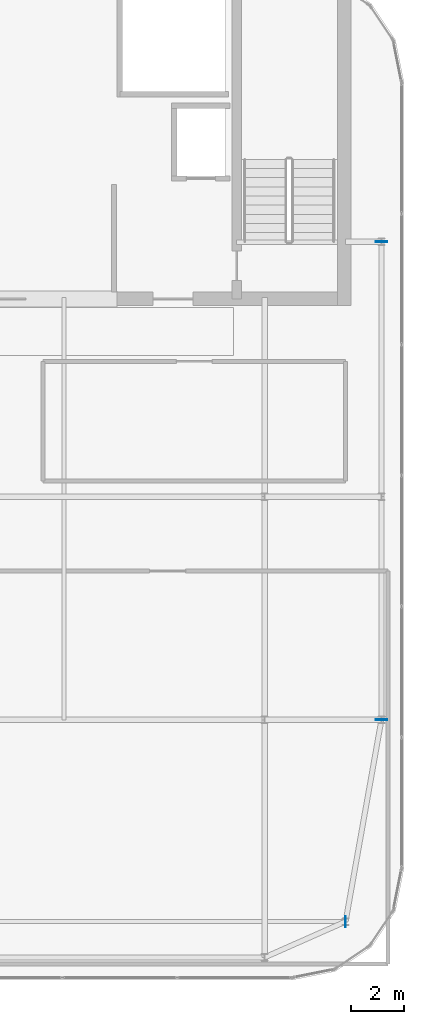
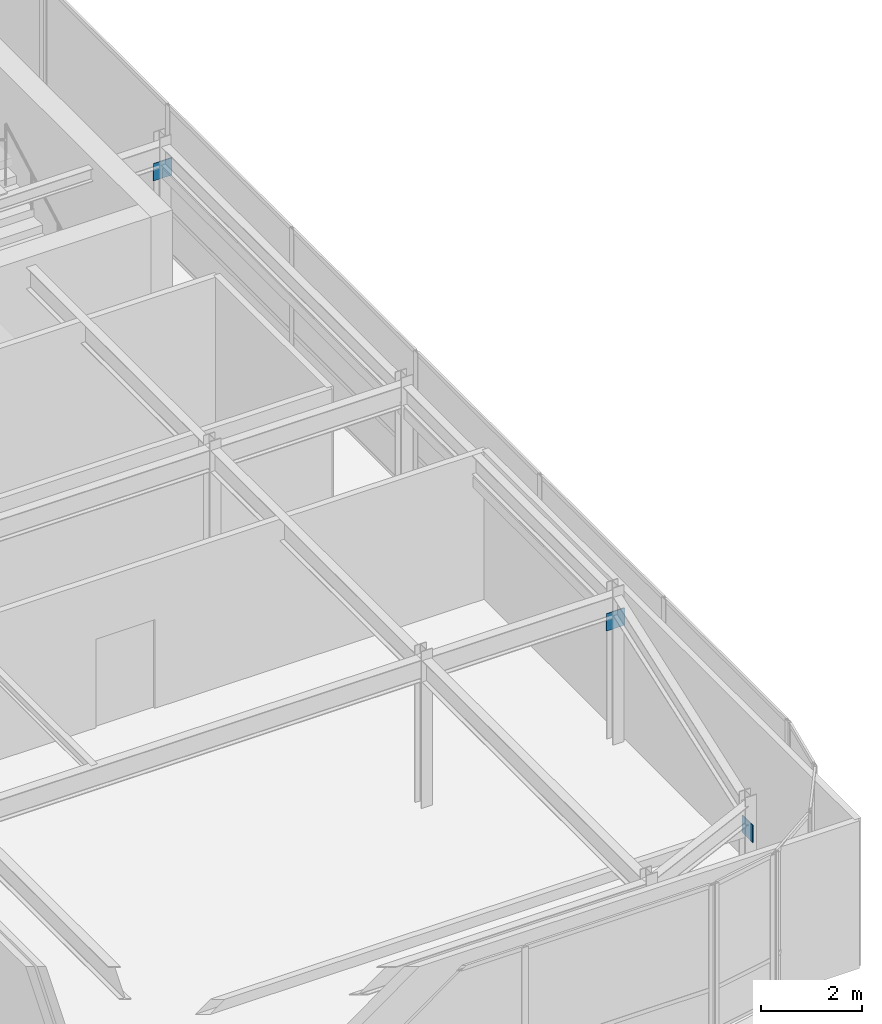
# One storey, part 32 of 36: 3 plates.
"""IFC4 building model written with IfcOpenShell, lengths in metres."""

from ifc_helpers import new_model, si_unit, direction, frame, origin, origin_2d, place, context, subcontext, project, spatial, rectangle, extrude, source, transform, mapped, material, layer, layer_set, type_object, type_shapes, element, save


model = new_model("IFC4")

# Units and contexts
model_context = context("Model", 3, precision=1e-05, world=origin(), true_north=direction((0.0, 1.0)))
body_context = subcontext(model_context, "Body", "Model", "MODEL_VIEW")
ifc_project = project(units=[si_unit("LENGTHUNIT", "METRE"), si_unit("AREAUNIT", "SQUARE_METRE"), si_unit("VOLUMEUNIT", "CUBIC_METRE"), si_unit("PLANEANGLEUNIT", "RADIAN"), si_unit("MASSUNIT", "GRAM", prefix="KILO")], contexts=[model_context])

# Site, building, storey
site_placement = place(None, origin())
site = spatial("IfcSite", under=ifc_project, at=site_placement, CompositionType="ELEMENT")
building_placement = place(site_placement, origin())
building = spatial("IfcBuilding", under=site, at=building_placement, Name="Tolvann Quenvar Hotel", CompositionType="ELEMENT")
storey_placement = place(building_placement, frame((0.0, 0.0, 298.550048828125)))
storey = spatial("IfcBuildingStorey", under=building, at=storey_placement, Name="L79", CompositionType="ELEMENT", Elevation=298.550048828125)

# Plates
ifc_material = material(Name="Steel Grade 350", Category="steel")
ifc_layer = layer(ifc_material, 0.02490234375)
ifc_layer_set = layer_set([ifc_layer], Name="Steel Grade 350")
plate_type = type_object("IfcPlateType", Name="PLT_ENDCAP_25", PredefinedType="SHEET", material=ifc_layer_set)
shared_shape_1 = source(origin(), body_context, "Body", "SweptSolid", [
    extrude(rectangle(XDim=0.02490234375, YDim=0.419921875, at=origin_2d()), origin(), (0.0, 0.0, 1.0), 0.419921875),
])
plate_placement = place(storey_placement, frame((35.800048828125, 8.39990234375, 2.719970703125), z_axis=(0.0, 0.0, 1.0), x_axis=(1.0, 0.0, 0.0)))
element("IfcPlate", 1, at=plate_placement, inside=storey, type_object=plate_type, Name="Crown Ring End Cap Plate EC-1 (L79-1-2)", PredefinedType="SHEET", context=body_context, shape_type="MappedRepresentation", body=[
    mapped(shared_shape_1, transform((0.0, 0.0, 0.0), x_axis=(1.0, 0.0, 0.0), y_axis=(0.0, 1.0, 0.0), z_axis=(0.0, 0.0, 1.0), scale=1.0)),
])
shared_shape_2 = source(origin(), body_context, "Body", "SweptSolid", [
    extrude(rectangle(XDim=0.419921875, YDim=0.02490234375, at=origin_2d()), origin(), (0.0, 0.0, 1.0), 0.419921875),
])
type_shapes(plate_type, [shared_shape_1, shared_shape_2])
for number, where, z_axis, x_axis, name in (
    (2, (37.14990234375, 16.0, 2.719970703125), (0.0, 0.0, 1.0), (1.0, 0.0, 0.0), "Crown Ring End Cap Plate EC-1 (L79-3-1)"),
    (3, (37.14990234375, 34.0, 2.719970703125), (0.0, 0.0, 1.0), (1.0, 0.0, 0.0), "Crown Ring End Cap Plate EC-1 (L79-3-2)"),
):
    element("IfcPlate", number, at=place(storey_placement, frame(where, z_axis=z_axis, x_axis=x_axis)), inside=storey, type_object=plate_type, Name=name, PredefinedType="SHEET", context=body_context, shape_type="MappedRepresentation", body=[
        mapped(shared_shape_2, transform((0.0, 0.0, 0.0), x_axis=(1.0, 0.0, 0.0), y_axis=(0.0, 1.0, 0.0), z_axis=(0.0, 0.0, 1.0), scale=1.0)),
    ])

save(model, "model.ifc")
